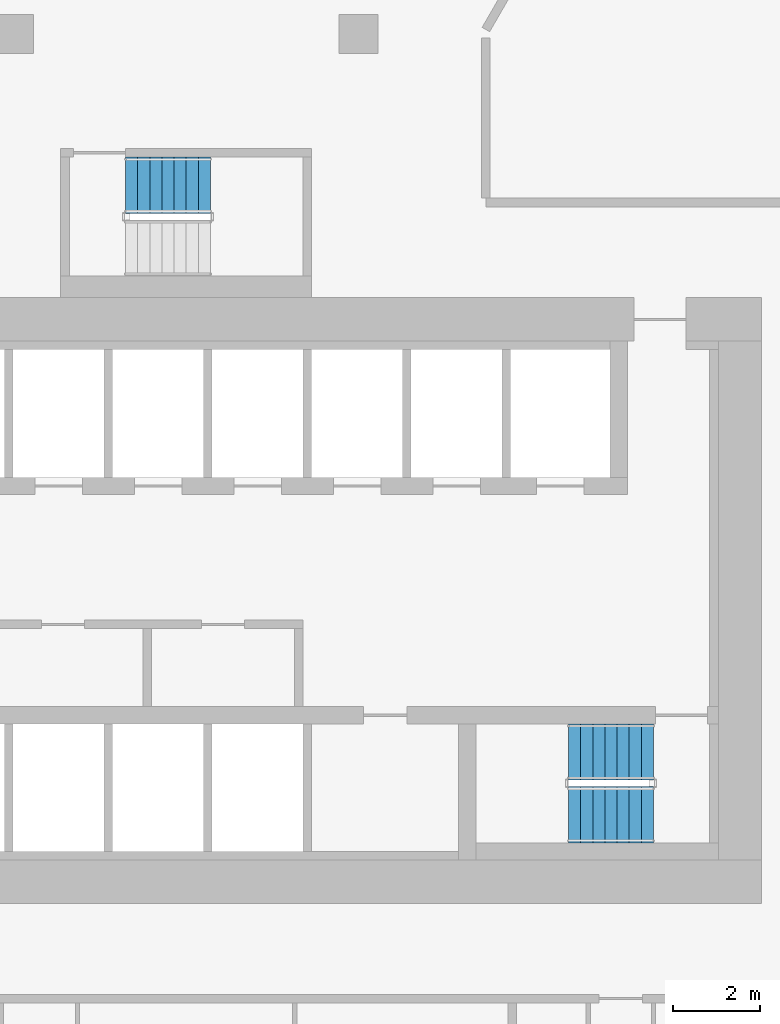
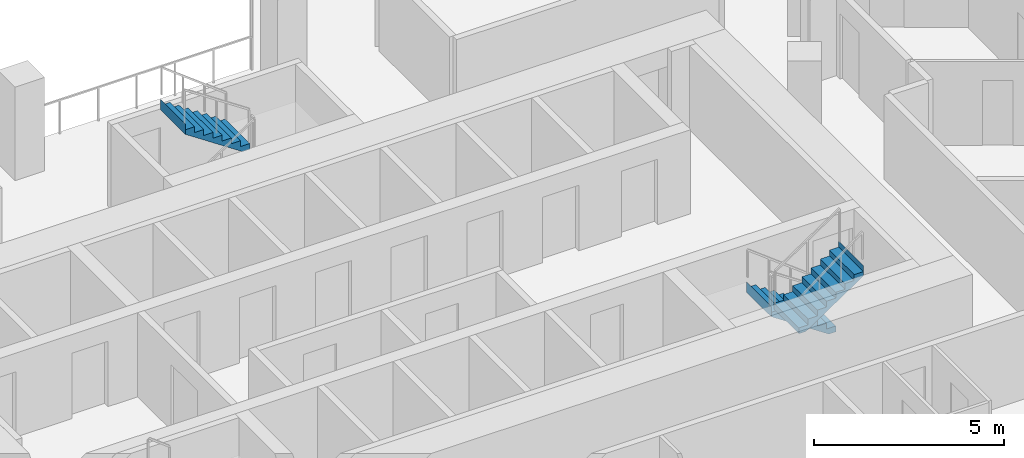
# One storey, part 14 of 18: 3 stair flights, 2 elements without a shape of their own.
"""IFC4 building model written with IfcOpenShell, lengths in metres."""

from ifc_helpers import new_model, si_unit, direction, frame, origin, place, context, subcontext, project, spatial, triangles, material, type_object, element, aggregate, save


model = new_model("IFC4")

# Units and contexts
model_context = context("Model", 3, precision=1e-05, world=origin(), true_north=direction((0.0, 1.0)))
body_context = subcontext(model_context, "Body", "Model", "MODEL_VIEW")
ifc_project = project(units=[si_unit("LENGTHUNIT", "METRE"), si_unit("AREAUNIT", "SQUARE_METRE"), si_unit("VOLUMEUNIT", "CUBIC_METRE"), si_unit("PLANEANGLEUNIT", "RADIAN"), si_unit("MASSUNIT", "GRAM", prefix="KILO")], contexts=[model_context])

# Site, building, storey
site_placement = place(None, origin())
site = spatial("IfcSite", under=ifc_project, at=site_placement, CompositionType="ELEMENT")
building_placement = place(site_placement, origin())
building = spatial("IfcBuilding", under=site, at=building_placement, Name="Beryl Residences", CompositionType="ELEMENT")
storey_placement = place(building_placement, frame((0.0, 0.0, 99.0)))
storey = spatial("IfcBuildingStorey", under=building, at=storey_placement, Name="L30", CompositionType="ELEMENT", Elevation=99.0)

# Stair, stair flights
ifc_material_1 = material(Name="Concrete C40/50", Category="concrete")
stair_type = type_object("IfcStairType", Name="ST1 protected exit stair, half-turn, 1300 mm flights", PredefinedType="HALF_TURN_STAIR", material=ifc_material_1)
stair_1_placement = place(storey_placement, origin())
stair_1 = element("IfcStair", 1, at=stair_1_placement, inside=storey, type_object=stair_type, Name="L30 PROTECTED EXIT STAIR ST-3", PredefinedType="HALF_TURN_STAIR")
ifc_material_2 = material(Name="Concrete C40/50", Category="concrete")
stair_flight_type = type_object("IfcStairFlightType", Name="SF1 stair flight 1300 mm", PredefinedType="STRAIGHT", material=ifc_material_2)
stair_flight_1_placement = place(storey_placement, frame((10.800048828125, -15.5, 0.0), z_axis=(0.0, 0.0, 1.0), x_axis=(-1.0, 0.0, 0.0)))
stair_flight_1 = element("IfcStairFlight", 2, at=stair_flight_1_placement, type_object=stair_flight_type, Name="ST-3 flight 1", NumberOfRisers=8, NumberOfTreads=7, PredefinedType="STRAIGHT", RiserHeight=0.1875, TreadLength=0.28, context=body_context, shape_type="Tessellation", body=[
    triangles([(0.0, -0.64990234375, 0.0), (0.0, -0.324951171875, 0.0), (0.0, 0.0, 0.0), (0.0, 0.324951171875, 0.0), (0.0, 0.64990234375, 0.0), (0.0, -0.64990234375, 0.1875), (0.0, -0.324951171875, 0.1875), (0.0, 0.0, 0.1875), (0.0, 0.324951171875, 0.1875), (0.0, 0.64990234375, 0.1875), (0.280029296875, -0.64990234375, 0.1875), (0.280029296875, -0.324951171875, 0.1875), (0.280029296875, 0.0, 0.1875), (0.280029296875, 0.324951171875, 0.1875), (0.280029296875, 0.64990234375, 0.1875), (0.280029296875, -0.64990234375, 0.375), (0.280029296875, -0.324951171875, 0.375), (0.280029296875, 0.0, 0.375), (0.280029296875, 0.324951171875, 0.375), (0.280029296875, 0.64990234375, 0.375), (0.56005859375, -0.64990234375, 0.375), (0.56005859375, -0.324951171875, 0.375), (0.56005859375, 0.0, 0.375), (0.56005859375, 0.324951171875, 0.375), (0.56005859375, 0.64990234375, 0.375), (0.56005859375, -0.64990234375, 0.5625), (0.56005859375, -0.324951171875, 0.5625), (0.56005859375, 0.0, 0.5625), (0.56005859375, 0.324951171875, 0.5625), (0.56005859375, 0.64990234375, 0.5625), (0.840087890625, -0.64990234375, 0.5625), (0.840087890625, -0.324951171875, 0.5625), (0.840087890625, 0.0, 0.5625), (0.840087890625, 0.324951171875, 0.5625), (0.840087890625, 0.64990234375, 0.5625), (0.840087890625, -0.64990234375, 0.75), (0.840087890625, -0.324951171875, 0.75), (0.840087890625, 0.0, 0.75), (0.840087890625, 0.324951171875, 0.75), (0.840087890625, 0.64990234375, 0.75), (1.1201171875, -0.64990234375, 0.75), (1.1201171875, -0.324951171875, 0.75), (1.1201171875, 0.0, 0.75), (1.1201171875, 0.324951171875, 0.75), (1.1201171875, 0.64990234375, 0.75), (1.1201171875, -0.64990234375, 0.9375), (1.1201171875, -0.324951171875, 0.9375), (1.1201171875, 0.0, 0.9375), (1.1201171875, 0.324951171875, 0.9375), (1.1201171875, 0.64990234375, 0.9375), (1.39990234375, -0.64990234375, 0.9375), (1.39990234375, -0.324951171875, 0.9375), (1.39990234375, 0.0, 0.9375), (1.39990234375, 0.324951171875, 0.9375), (1.39990234375, 0.64990234375, 0.9375), (1.39990234375, -0.64990234375, 1.125), (1.39990234375, -0.324951171875, 1.125), (1.39990234375, 0.0, 1.125), (1.39990234375, 0.324951171875, 1.125), (1.39990234375, 0.64990234375, 1.125), (1.679931640625, -0.64990234375, 1.125), (1.679931640625, -0.324951171875, 1.125), (1.679931640625, 0.0, 1.125), (1.679931640625, 0.324951171875, 1.125), (1.679931640625, 0.64990234375, 1.125), (1.679931640625, -0.64990234375, 1.3125), (1.679931640625, -0.324951171875, 1.3125), (1.679931640625, 0.0, 1.3125), (1.679931640625, 0.324951171875, 1.3125), (1.679931640625, 0.64990234375, 1.3125), (1.9599609375, -0.64990234375, 1.3125), (1.9599609375, -0.324951171875, 1.3125), (1.9599609375, 0.0, 1.3125), (1.9599609375, 0.324951171875, 1.3125), (1.9599609375, 0.64990234375, 1.3125), (1.9599609375, -0.64990234375, 1.5), (1.9599609375, -0.324951171875, 1.5), (1.9599609375, 0.0, 1.5), (1.9599609375, 0.324951171875, 1.5), (1.9599609375, 0.64990234375, 1.5), (1.9609375, -0.64990234375, 1.5), (1.9609375, -0.324951171875, 1.5), (1.9609375, 0.0, 1.5), (1.9609375, 0.324951171875, 1.5), (1.9609375, 0.64990234375, 1.5), (1.9609375, -0.64990234375, 1.16796875), (1.9609375, -0.324951171875, 1.16796875), (1.9609375, 0.0, 1.16796875), (1.9609375, 0.324951171875, 1.16796875), (1.9609375, 0.64990234375, 1.16796875), (0.216796875, -0.64990234375, 0.0), (0.216796875, -0.324951171875, 0.0), (0.216796875, 0.0, 0.0), (0.216796875, 0.324951171875, 0.0), (0.216796875, 0.64990234375, 0.0)], [[1, 6, 7], [1, 7, 2], [2, 7, 8], [2, 8, 3], [3, 8, 9], [3, 9, 4], [4, 9, 10], [4, 10, 5], [6, 11, 12], [6, 12, 7], [7, 12, 13], [7, 13, 8], [8, 13, 14], [8, 14, 9], [9, 14, 15], [9, 15, 10], [11, 16, 17], [11, 17, 12], [12, 17, 18], [12, 18, 13], [13, 18, 19], [13, 19, 14], [14, 19, 20], [14, 20, 15], [16, 21, 22], [16, 22, 17], [17, 22, 23], [17, 23, 18], [18, 23, 24], [18, 24, 19], [19, 24, 25], [19, 25, 20], [21, 26, 27], [21, 27, 22], [22, 27, 28], [22, 28, 23], [23, 28, 29], [23, 29, 24], [24, 29, 30], [24, 30, 25], [26, 31, 32], [26, 32, 27], [27, 32, 33], [27, 33, 28], [28, 33, 34], [28, 34, 29], [29, 34, 35], [29, 35, 30], [31, 36, 37], [31, 37, 32], [32, 37, 38], [32, 38, 33], [33, 38, 39], [33, 39, 34], [34, 39, 40], [34, 40, 35], [36, 41, 42], [36, 42, 37], [37, 42, 43], [37, 43, 38], [38, 43, 44], [38, 44, 39], [39, 44, 45], [39, 45, 40], [41, 46, 47], [41, 47, 42], [42, 47, 48], [42, 48, 43], [43, 48, 49], [43, 49, 44], [44, 49, 50], [44, 50, 45], [46, 51, 52], [46, 52, 47], [47, 52, 53], [47, 53, 48], [48, 53, 54], [48, 54, 49], [49, 54, 55], [49, 55, 50], [51, 56, 57], [51, 57, 52], [52, 57, 58], [52, 58, 53], [53, 58, 59], [53, 59, 54], [54, 59, 60], [54, 60, 55], [56, 61, 62], [56, 62, 57], [57, 62, 63], [57, 63, 58], [58, 63, 64], [58, 64, 59], [59, 64, 65], [59, 65, 60], [61, 66, 67], [61, 67, 62], [62, 67, 68], [62, 68, 63], [63, 68, 69], [63, 69, 64], [64, 69, 70], [64, 70, 65], [66, 71, 72], [66, 72, 67], [67, 72, 73], [67, 73, 68], [68, 73, 74], [68, 74, 69], [69, 74, 75], [69, 75, 70], [71, 76, 77], [71, 77, 72], [72, 77, 78], [72, 78, 73], [73, 78, 79], [73, 79, 74], [74, 79, 80], [74, 80, 75], [76, 81, 82], [76, 82, 77], [77, 82, 83], [77, 83, 78], [78, 83, 84], [78, 84, 79], [79, 84, 85], [79, 85, 80], [81, 86, 87], [81, 87, 82], [82, 87, 88], [82, 88, 83], [83, 88, 89], [83, 89, 84], [84, 89, 90], [84, 90, 85], [86, 91, 92], [86, 92, 87], [87, 92, 93], [87, 93, 88], [88, 93, 94], [88, 94, 89], [89, 94, 95], [89, 95, 90], [91, 1, 2], [91, 2, 92], [92, 2, 3], [92, 3, 93], [93, 3, 4], [93, 4, 94], [94, 4, 5], [94, 5, 95], [1, 91, 86], [5, 90, 95], [86, 81, 76], [90, 80, 85], [86, 76, 71], [90, 75, 80], [86, 71, 66], [90, 70, 75], [86, 66, 61], [90, 65, 70], [61, 56, 51], [65, 55, 60], [86, 61, 51], [90, 55, 65], [51, 46, 41], [55, 45, 50], [86, 51, 41], [90, 45, 55], [41, 36, 31], [45, 35, 40], [86, 41, 31], [90, 35, 45], [31, 26, 21], [35, 25, 30], [86, 31, 21], [90, 25, 35], [21, 16, 11], [25, 15, 20], [86, 21, 11], [90, 15, 25], [1, 86, 11], [5, 15, 90], [11, 6, 1], [15, 5, 10]], closed=True),
])
stair_flight_2_placement = place(storey_placement, frame((8.840087890625, -16.949951171875, 1.5), z_axis=(0.0, 0.0, 1.0), x_axis=(1.0, 0.0, 0.0)))
stair_flight_2 = element("IfcStairFlight", 3, at=stair_flight_2_placement, type_object=stair_flight_type, Name="ST-3 flight 2", NumberOfRisers=8, NumberOfTreads=7, PredefinedType="STRAIGHT", RiserHeight=0.1875, TreadLength=0.28, context=body_context, shape_type="Tessellation", body=[
    triangles([(0.0, -0.64990234375, 0.0), (0.0, -0.324951171875, 0.0), (0.0, 0.0, 0.0), (0.0, 0.324951171875, 0.0), (0.0, 0.64990234375, 0.0), (0.0, -0.64990234375, 0.1875), (0.0, -0.324951171875, 0.1875), (0.0, 0.0, 0.1875), (0.0, 0.324951171875, 0.1875), (0.0, 0.64990234375, 0.1875), (0.280029296875, -0.64990234375, 0.1875), (0.280029296875, -0.324951171875, 0.1875), (0.280029296875, 0.0, 0.1875), (0.280029296875, 0.324951171875, 0.1875), (0.280029296875, 0.64990234375, 0.1875), (0.280029296875, -0.64990234375, 0.375), (0.280029296875, -0.324951171875, 0.375), (0.280029296875, 0.0, 0.375), (0.280029296875, 0.324951171875, 0.375), (0.280029296875, 0.64990234375, 0.375), (0.56005859375, -0.64990234375, 0.375), (0.56005859375, -0.324951171875, 0.375), (0.56005859375, 0.0, 0.375), (0.56005859375, 0.324951171875, 0.375), (0.56005859375, 0.64990234375, 0.375), (0.56005859375, -0.64990234375, 0.5625), (0.56005859375, -0.324951171875, 0.5625), (0.56005859375, 0.0, 0.5625), (0.56005859375, 0.324951171875, 0.5625), (0.56005859375, 0.64990234375, 0.5625), (0.840087890625, -0.64990234375, 0.5625), (0.840087890625, -0.324951171875, 0.5625), (0.840087890625, 0.0, 0.5625), (0.840087890625, 0.324951171875, 0.5625), (0.840087890625, 0.64990234375, 0.5625), (0.840087890625, -0.64990234375, 0.75), (0.840087890625, -0.324951171875, 0.75), (0.840087890625, 0.0, 0.75), (0.840087890625, 0.324951171875, 0.75), (0.840087890625, 0.64990234375, 0.75), (1.1201171875, -0.64990234375, 0.75), (1.1201171875, -0.324951171875, 0.75), (1.1201171875, 0.0, 0.75), (1.1201171875, 0.324951171875, 0.75), (1.1201171875, 0.64990234375, 0.75), (1.1201171875, -0.64990234375, 0.9375), (1.1201171875, -0.324951171875, 0.9375), (1.1201171875, 0.0, 0.9375), (1.1201171875, 0.324951171875, 0.9375), (1.1201171875, 0.64990234375, 0.9375), (1.39990234375, -0.64990234375, 0.9375), (1.39990234375, -0.324951171875, 0.9375), (1.39990234375, 0.0, 0.9375), (1.39990234375, 0.324951171875, 0.9375), (1.39990234375, 0.64990234375, 0.9375), (1.39990234375, -0.64990234375, 1.125), (1.39990234375, -0.324951171875, 1.125), (1.39990234375, 0.0, 1.125), (1.39990234375, 0.324951171875, 1.125), (1.39990234375, 0.64990234375, 1.125), (1.679931640625, -0.64990234375, 1.125), (1.679931640625, -0.324951171875, 1.125), (1.679931640625, 0.0, 1.125), (1.679931640625, 0.324951171875, 1.125), (1.679931640625, 0.64990234375, 1.125), (1.679931640625, -0.64990234375, 1.3125), (1.679931640625, -0.324951171875, 1.3125), (1.679931640625, 0.0, 1.3125), (1.679931640625, 0.324951171875, 1.3125), (1.679931640625, 0.64990234375, 1.3125), (1.9599609375, -0.64990234375, 1.3125), (1.9599609375, -0.324951171875, 1.3125), (1.9599609375, 0.0, 1.3125), (1.9599609375, 0.324951171875, 1.3125), (1.9599609375, 0.64990234375, 1.3125), (1.9599609375, -0.64990234375, 1.5), (1.9599609375, -0.324951171875, 1.5), (1.9599609375, 0.0, 1.5), (1.9599609375, 0.324951171875, 1.5), (1.9599609375, 0.64990234375, 1.5), (1.9609375, -0.64990234375, 1.5), (1.9609375, -0.324951171875, 1.5), (1.9609375, 0.0, 1.5), (1.9609375, 0.324951171875, 1.5), (1.9609375, 0.64990234375, 1.5), (1.9609375, -0.64990234375, 1.16796875), (1.9609375, -0.324951171875, 1.16796875), (1.9609375, 0.0, 1.16796875), (1.9609375, 0.324951171875, 1.16796875), (1.9609375, 0.64990234375, 1.16796875), (0.216796875, -0.64990234375, 0.0), (0.216796875, -0.324951171875, 0.0), (0.216796875, 0.0, 0.0), (0.216796875, 0.324951171875, 0.0), (0.216796875, 0.64990234375, 0.0)], [[1, 6, 7], [1, 7, 2], [2, 7, 8], [2, 8, 3], [3, 8, 9], [3, 9, 4], [4, 9, 10], [4, 10, 5], [6, 11, 12], [6, 12, 7], [7, 12, 13], [7, 13, 8], [8, 13, 14], [8, 14, 9], [9, 14, 15], [9, 15, 10], [11, 16, 17], [11, 17, 12], [12, 17, 18], [12, 18, 13], [13, 18, 19], [13, 19, 14], [14, 19, 20], [14, 20, 15], [16, 21, 22], [16, 22, 17], [17, 22, 23], [17, 23, 18], [18, 23, 24], [18, 24, 19], [19, 24, 25], [19, 25, 20], [21, 26, 27], [21, 27, 22], [22, 27, 28], [22, 28, 23], [23, 28, 29], [23, 29, 24], [24, 29, 30], [24, 30, 25], [26, 31, 32], [26, 32, 27], [27, 32, 33], [27, 33, 28], [28, 33, 34], [28, 34, 29], [29, 34, 35], [29, 35, 30], [31, 36, 37], [31, 37, 32], [32, 37, 38], [32, 38, 33], [33, 38, 39], [33, 39, 34], [34, 39, 40], [34, 40, 35], [36, 41, 42], [36, 42, 37], [37, 42, 43], [37, 43, 38], [38, 43, 44], [38, 44, 39], [39, 44, 45], [39, 45, 40], [41, 46, 47], [41, 47, 42], [42, 47, 48], [42, 48, 43], [43, 48, 49], [43, 49, 44], [44, 49, 50], [44, 50, 45], [46, 51, 52], [46, 52, 47], [47, 52, 53], [47, 53, 48], [48, 53, 54], [48, 54, 49], [49, 54, 55], [49, 55, 50], [51, 56, 57], [51, 57, 52], [52, 57, 58], [52, 58, 53], [53, 58, 59], [53, 59, 54], [54, 59, 60], [54, 60, 55], [56, 61, 62], [56, 62, 57], [57, 62, 63], [57, 63, 58], [58, 63, 64], [58, 64, 59], [59, 64, 65], [59, 65, 60], [61, 66, 67], [61, 67, 62], [62, 67, 68], [62, 68, 63], [63, 68, 69], [63, 69, 64], [64, 69, 70], [64, 70, 65], [66, 71, 72], [66, 72, 67], [67, 72, 73], [67, 73, 68], [68, 73, 74], [68, 74, 69], [69, 74, 75], [69, 75, 70], [71, 76, 77], [71, 77, 72], [72, 77, 78], [72, 78, 73], [73, 78, 79], [73, 79, 74], [74, 79, 80], [74, 80, 75], [76, 81, 82], [76, 82, 77], [77, 82, 83], [77, 83, 78], [78, 83, 84], [78, 84, 79], [79, 84, 85], [79, 85, 80], [81, 86, 87], [81, 87, 82], [82, 87, 88], [82, 88, 83], [83, 88, 89], [83, 89, 84], [84, 89, 90], [84, 90, 85], [86, 91, 92], [86, 92, 87], [87, 92, 93], [87, 93, 88], [88, 93, 94], [88, 94, 89], [89, 94, 95], [89, 95, 90], [91, 1, 2], [91, 2, 92], [92, 2, 3], [92, 3, 93], [93, 3, 4], [93, 4, 94], [94, 4, 5], [94, 5, 95], [1, 91, 86], [5, 90, 95], [86, 81, 76], [90, 80, 85], [86, 76, 71], [90, 75, 80], [86, 71, 66], [90, 70, 75], [86, 66, 61], [90, 65, 70], [61, 56, 51], [65, 55, 60], [86, 61, 51], [90, 55, 65], [51, 46, 41], [55, 45, 50], [86, 51, 41], [90, 45, 55], [41, 36, 31], [45, 35, 40], [86, 41, 31], [90, 35, 45], [31, 26, 21], [35, 25, 30], [86, 31, 21], [90, 25, 35], [21, 16, 11], [25, 15, 20], [86, 21, 11], [90, 15, 25], [1, 86, 11], [5, 15, 90], [11, 6, 1], [15, 5, 10]], closed=True),
])
aggregate(stair_1, [stair_flight_1, stair_flight_2])

# Stair, stair flight
stair_2_placement = place(storey_placement, origin())
stair_2 = element("IfcStair", 4, at=stair_2_placement, inside=storey, type_object=stair_type, Name="L30 PROTECTED EXIT STAIR ST-4", PredefinedType="HALF_TURN_STAIR")
stair_flight_3_placement = place(storey_placement, frame((0.56005859375, -2.39990234375, 1.5), z_axis=(0.0, 0.0, 1.0), x_axis=(-1.0, 0.0, 0.0)))
stair_flight_3 = element("IfcStairFlight", 5, at=stair_flight_3_placement, type_object=stair_flight_type, Name="ST-4 flight 2", NumberOfRisers=8, NumberOfTreads=7, PredefinedType="STRAIGHT", RiserHeight=0.1875, TreadLength=0.28, context=body_context, shape_type="Tessellation", body=[
    triangles([(0.0, -0.64990234375, 0.0), (0.0, -0.324951171875, 0.0), (0.0, 0.0, 0.0), (0.0, 0.324951171875, 0.0), (0.0, 0.64990234375, 0.0), (0.0, -0.64990234375, 0.1875), (0.0, -0.324951171875, 0.1875), (0.0, 0.0, 0.1875), (0.0, 0.324951171875, 0.1875), (0.0, 0.64990234375, 0.1875), (0.280029296875, -0.64990234375, 0.1875), (0.280029296875, -0.324951171875, 0.1875), (0.280029296875, 0.0, 0.1875), (0.280029296875, 0.324951171875, 0.1875), (0.280029296875, 0.64990234375, 0.1875), (0.280029296875, -0.64990234375, 0.375), (0.280029296875, -0.324951171875, 0.375), (0.280029296875, 0.0, 0.375), (0.280029296875, 0.324951171875, 0.375), (0.280029296875, 0.64990234375, 0.375), (0.56005859375, -0.64990234375, 0.375), (0.56005859375, -0.324951171875, 0.375), (0.56005859375, 0.0, 0.375), (0.56005859375, 0.324951171875, 0.375), (0.56005859375, 0.64990234375, 0.375), (0.56005859375, -0.64990234375, 0.5625), (0.56005859375, -0.324951171875, 0.5625), (0.56005859375, 0.0, 0.5625), (0.56005859375, 0.324951171875, 0.5625), (0.56005859375, 0.64990234375, 0.5625), (0.840087890625, -0.64990234375, 0.5625), (0.840087890625, -0.324951171875, 0.5625), (0.840087890625, 0.0, 0.5625), (0.840087890625, 0.324951171875, 0.5625), (0.840087890625, 0.64990234375, 0.5625), (0.840087890625, -0.64990234375, 0.75), (0.840087890625, -0.324951171875, 0.75), (0.840087890625, 0.0, 0.75), (0.840087890625, 0.324951171875, 0.75), (0.840087890625, 0.64990234375, 0.75), (1.1201171875, -0.64990234375, 0.75), (1.1201171875, -0.324951171875, 0.75), (1.1201171875, 0.0, 0.75), (1.1201171875, 0.324951171875, 0.75), (1.1201171875, 0.64990234375, 0.75), (1.1201171875, -0.64990234375, 0.9375), (1.1201171875, -0.324951171875, 0.9375), (1.1201171875, 0.0, 0.9375), (1.1201171875, 0.324951171875, 0.9375), (1.1201171875, 0.64990234375, 0.9375), (1.39990234375, -0.64990234375, 0.9375), (1.39990234375, -0.324951171875, 0.9375), (1.39990234375, 0.0, 0.9375), (1.39990234375, 0.324951171875, 0.9375), (1.39990234375, 0.64990234375, 0.9375), (1.39990234375, -0.64990234375, 1.125), (1.39990234375, -0.324951171875, 1.125), (1.39990234375, 0.0, 1.125), (1.39990234375, 0.324951171875, 1.125), (1.39990234375, 0.64990234375, 1.125), (1.679931640625, -0.64990234375, 1.125), (1.679931640625, -0.324951171875, 1.125), (1.679931640625, 0.0, 1.125), (1.679931640625, 0.324951171875, 1.125), (1.679931640625, 0.64990234375, 1.125), (1.679931640625, -0.64990234375, 1.3125), (1.679931640625, -0.324951171875, 1.3125), (1.679931640625, 0.0, 1.3125), (1.679931640625, 0.324951171875, 1.3125), (1.679931640625, 0.64990234375, 1.3125), (1.9599609375, -0.64990234375, 1.3125), (1.9599609375, -0.324951171875, 1.3125), (1.9599609375, 0.0, 1.3125), (1.9599609375, 0.324951171875, 1.3125), (1.9599609375, 0.64990234375, 1.3125), (1.9599609375, -0.64990234375, 1.5), (1.9599609375, -0.324951171875, 1.5), (1.9599609375, 0.0, 1.5), (1.9599609375, 0.324951171875, 1.5), (1.9599609375, 0.64990234375, 1.5), (1.9609375, -0.64990234375, 1.5), (1.9609375, -0.324951171875, 1.5), (1.9609375, 0.0, 1.5), (1.9609375, 0.324951171875, 1.5), (1.9609375, 0.64990234375, 1.5), (1.9609375, -0.64990234375, 1.16796875), (1.9609375, -0.324951171875, 1.16796875), (1.9609375, 0.0, 1.16796875), (1.9609375, 0.324951171875, 1.16796875), (1.9609375, 0.64990234375, 1.16796875), (0.216796875, -0.64990234375, 0.0), (0.216796875, -0.324951171875, 0.0), (0.216796875, 0.0, 0.0), (0.216796875, 0.324951171875, 0.0), (0.216796875, 0.64990234375, 0.0)], [[1, 6, 7], [1, 7, 2], [2, 7, 8], [2, 8, 3], [3, 8, 9], [3, 9, 4], [4, 9, 10], [4, 10, 5], [6, 11, 12], [6, 12, 7], [7, 12, 13], [7, 13, 8], [8, 13, 14], [8, 14, 9], [9, 14, 15], [9, 15, 10], [11, 16, 17], [11, 17, 12], [12, 17, 18], [12, 18, 13], [13, 18, 19], [13, 19, 14], [14, 19, 20], [14, 20, 15], [16, 21, 22], [16, 22, 17], [17, 22, 23], [17, 23, 18], [18, 23, 24], [18, 24, 19], [19, 24, 25], [19, 25, 20], [21, 26, 27], [21, 27, 22], [22, 27, 28], [22, 28, 23], [23, 28, 29], [23, 29, 24], [24, 29, 30], [24, 30, 25], [26, 31, 32], [26, 32, 27], [27, 32, 33], [27, 33, 28], [28, 33, 34], [28, 34, 29], [29, 34, 35], [29, 35, 30], [31, 36, 37], [31, 37, 32], [32, 37, 38], [32, 38, 33], [33, 38, 39], [33, 39, 34], [34, 39, 40], [34, 40, 35], [36, 41, 42], [36, 42, 37], [37, 42, 43], [37, 43, 38], [38, 43, 44], [38, 44, 39], [39, 44, 45], [39, 45, 40], [41, 46, 47], [41, 47, 42], [42, 47, 48], [42, 48, 43], [43, 48, 49], [43, 49, 44], [44, 49, 50], [44, 50, 45], [46, 51, 52], [46, 52, 47], [47, 52, 53], [47, 53, 48], [48, 53, 54], [48, 54, 49], [49, 54, 55], [49, 55, 50], [51, 56, 57], [51, 57, 52], [52, 57, 58], [52, 58, 53], [53, 58, 59], [53, 59, 54], [54, 59, 60], [54, 60, 55], [56, 61, 62], [56, 62, 57], [57, 62, 63], [57, 63, 58], [58, 63, 64], [58, 64, 59], [59, 64, 65], [59, 65, 60], [61, 66, 67], [61, 67, 62], [62, 67, 68], [62, 68, 63], [63, 68, 69], [63, 69, 64], [64, 69, 70], [64, 70, 65], [66, 71, 72], [66, 72, 67], [67, 72, 73], [67, 73, 68], [68, 73, 74], [68, 74, 69], [69, 74, 75], [69, 75, 70], [71, 76, 77], [71, 77, 72], [72, 77, 78], [72, 78, 73], [73, 78, 79], [73, 79, 74], [74, 79, 80], [74, 80, 75], [76, 81, 82], [76, 82, 77], [77, 82, 83], [77, 83, 78], [78, 83, 84], [78, 84, 79], [79, 84, 85], [79, 85, 80], [81, 86, 87], [81, 87, 82], [82, 87, 88], [82, 88, 83], [83, 88, 89], [83, 89, 84], [84, 89, 90], [84, 90, 85], [86, 91, 92], [86, 92, 87], [87, 92, 93], [87, 93, 88], [88, 93, 94], [88, 94, 89], [89, 94, 95], [89, 95, 90], [91, 1, 2], [91, 2, 92], [92, 2, 3], [92, 3, 93], [93, 3, 4], [93, 4, 94], [94, 4, 5], [94, 5, 95], [1, 91, 86], [5, 90, 95], [86, 81, 76], [90, 80, 85], [86, 76, 71], [90, 75, 80], [86, 71, 66], [90, 70, 75], [86, 66, 61], [90, 65, 70], [61, 56, 51], [65, 55, 60], [86, 61, 51], [90, 55, 65], [51, 46, 41], [55, 45, 50], [86, 51, 41], [90, 45, 55], [41, 36, 31], [45, 35, 40], [86, 41, 31], [90, 35, 45], [31, 26, 21], [35, 25, 30], [86, 31, 21], [90, 25, 35], [21, 16, 11], [25, 15, 20], [86, 21, 11], [90, 15, 25], [1, 86, 11], [5, 15, 90], [11, 6, 1], [15, 5, 10]], closed=True),
])
aggregate(stair_2, [stair_flight_3])

save(model, "model.ifc")
